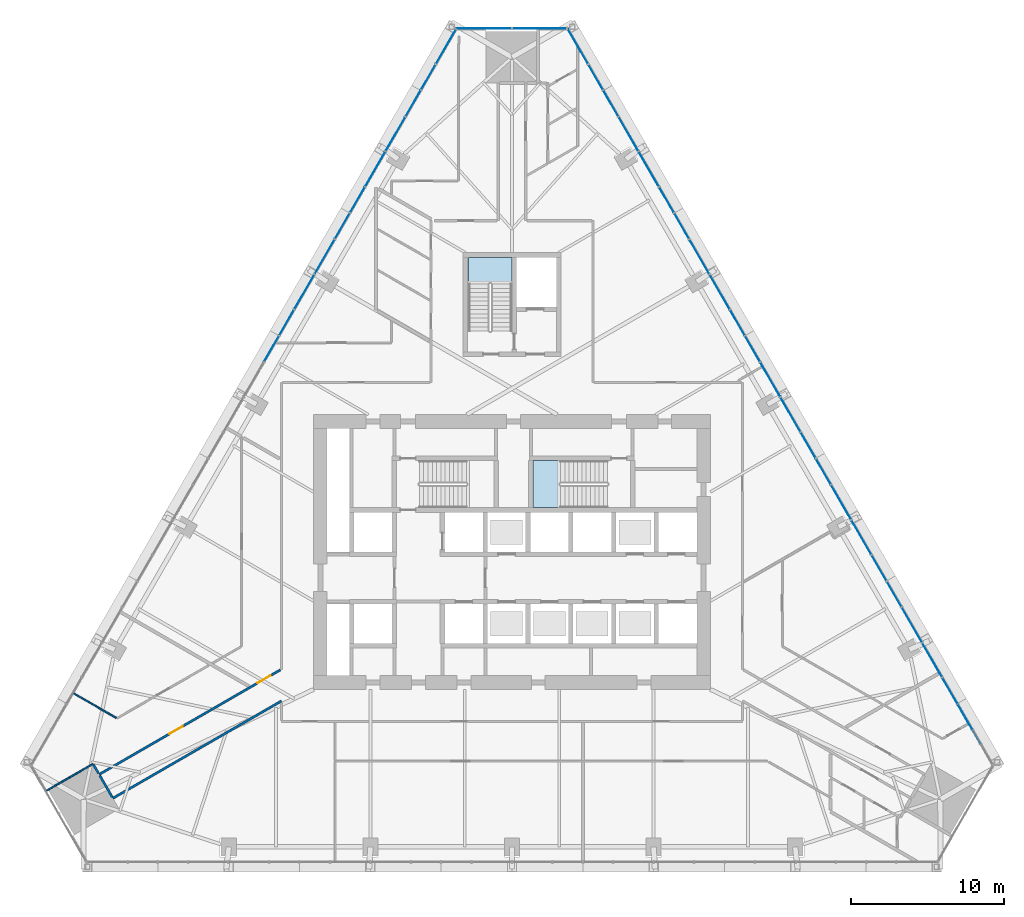
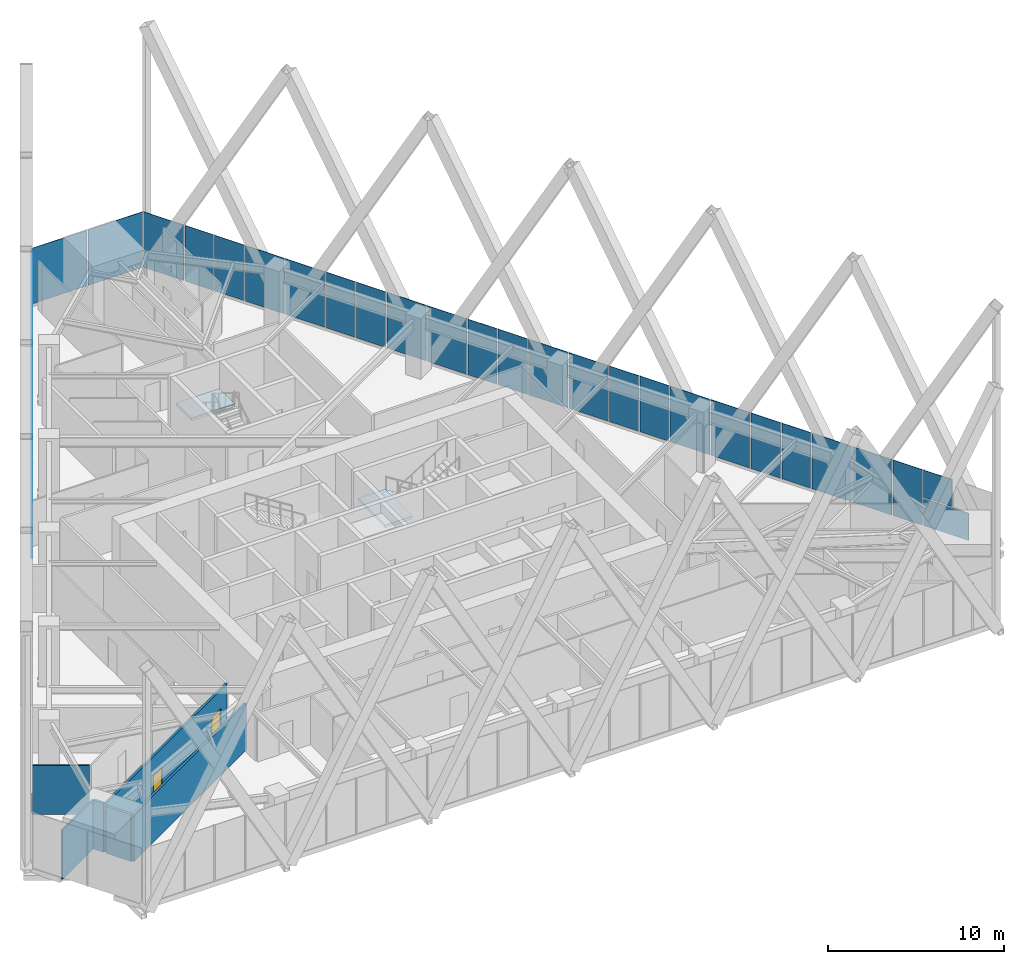
# One storey, part 12 of 19: 37 plates, 6 walls, 2 doors, 2 slabs, 2 openings, 5 elements without a shape of their own.
"""IFC4 building model written with IfcOpenShell, lengths in metres."""

from ifc_helpers import new_model, si_unit, direction, frame, frame_2d, origin, place, context, subcontext, project, spatial, polyline, rectangle, outline, extrude, material, layer, layer_set, type_object, element, fill, aggregate, save


model = new_model("IFC4")

# Units and contexts
model_context = context("Model", 3, precision=1e-05, world=origin(), true_north=direction((0.0, 1.0)))
body_context = subcontext(model_context, "Body", "Model", "MODEL_VIEW")
ifc_project = project(units=[si_unit("LENGTHUNIT", "METRE"), si_unit("AREAUNIT", "SQUARE_METRE"), si_unit("VOLUMEUNIT", "CUBIC_METRE"), si_unit("PLANEANGLEUNIT", "RADIAN"), si_unit("MASSUNIT", "GRAM", prefix="KILO")], contexts=[model_context])

# Site, building, storey
site_placement = place(None, origin())
site = spatial("IfcSite", under=ifc_project, at=site_placement, CompositionType="ELEMENT")
building_placement = place(site_placement, origin())
building = spatial("IfcBuilding", under=site, at=building_placement, Name="Firuza Gate Tower and Library", CompositionType="ELEMENT")
storey_placement = place(building_placement, frame((0.0, 0.0, 124.0)))
storey = spatial("IfcBuildingStorey", under=building, at=storey_placement, Name="L28", CompositionType="ELEMENT", Elevation=124.0)

# Curtain wall, plates
ifc_material_1 = material(Name="Aluminium 6063-T6", Category="aluminium")
ifc_layer_1 = layer(ifc_material_1, 0.14990234375)
ifc_layer_set_1 = layer_set([ifc_layer_1], Name="Corner curtain wall, chamfers")
curtain_wall_type_1 = type_object("IfcCurtainWallType", Name="Corner curtain wall, chamfers", PredefinedType="NOTDEFINED", material=ifc_layer_set_1)
placement_1 = place(storey_placement, origin())
curtain_wall_1 = element("IfcCurtainWall", 1, at=placement_1, inside=storey, type_object=curtain_wall_type_1, Name="CW4 L28 N corner", PredefinedType="NOTDEFINED")
ifc_material_2 = material(Name="Fritted glass", Category="glass")
ifc_layer_2 = layer(ifc_material_2, 0.030029296875)
ifc_layer_set_2 = layer_set([ifc_layer_2], Name="Fritted glass unit, corners")
plate_type_1 = type_object("IfcPlateType", Name="Fritted glass unit, corners", PredefinedType="CURTAIN_PANEL", material=ifc_layer_set_2)
plate_1_placement = place(storey_placement, frame((78.603271484375, 109.28857421875, 0.14990234375), z_axis=(0.0, 1.0, 0.0), x_axis=(-1.0, 0.0, 0.0)))
plate_1 = element("IfcPlate", 2, at=plate_1_placement, type_object=plate_type_1, Name="Glass unit", PredefinedType="CURTAIN_PANEL", context=body_context, shape_type="SweptSolid", body=[
    extrude(outline(polyline([(0.0, 0.0), (3.563232421875, 0.0), (3.563232421875, 3.85009765625), (0.0, 3.85009765625), (0.0, 0.0)])), origin(), (0.0, 0.0, -1.0), 0.030029296875),
])
plate_2_placement = place(storey_placement, frame((74.9599609375, 109.28857421875, 0.14990234375), z_axis=(0.0, 1.0, 0.0), x_axis=(-1.0, 0.0, 0.0)))
plate_2 = element("IfcPlate", 3, at=plate_2_placement, type_object=plate_type_1, Name="Glass unit", PredefinedType="CURTAIN_PANEL", context=body_context, shape_type="SweptSolid", body=[
    extrude(outline(polyline([(0.0, 0.0), (3.563232421875, 0.0), (3.563232421875, 3.85009765625), (0.0, 3.85009765625), (0.0, 0.0)])), origin(), (0.0, 0.0, -1.0), 0.030029296875),
])
aggregate(curtain_wall_1, [plate_1, plate_2])

ifc_material_3 = material(Name="Aluminium 6063-T6", Category="aluminium")
ifc_layer_3 = layer(ifc_material_3, 0.14990234375)
ifc_layer_set_3 = layer_set([ifc_layer_3], Name="Unitised curtain wall, offices")
curtain_wall_type_2 = type_object("IfcCurtainWallType", Name="Unitised curtain wall, offices", PredefinedType="NOTDEFINED", material=ifc_layer_set_3)
curtain_wall_2 = element("IfcCurtainWall", 4, at=placement_1, inside=storey, type_object=curtain_wall_type_2, Name="CW1 L28 E face", PredefinedType="NOTDEFINED")
ifc_material_4 = material(Name="Fritted glass", Category="glass")
ifc_layer_4 = layer(ifc_material_4, 0.030029296875)
ifc_layer_set_4 = layer_set([ifc_layer_4], Name="Fritted glass unit, offices")
plate_type_2 = type_object("IfcPlateType", Name="Fritted glass unit, offices", PredefinedType="CURTAIN_PANEL", material=ifc_layer_set_4)
plate_3_placement = place(storey_placement, frame((105.69091796875, 62.455810546875, 0.14990234375), z_axis=(0.86602583418, 0.499999254532, 0.0), x_axis=(-0.499999254532, 0.86602583418, 0.0)))
plate_3 = element("IfcPlate", 5, at=plate_3_placement, type_object=plate_type_2, Name="Glass unit", PredefinedType="CURTAIN_PANEL", context=body_context, shape_type="SweptSolid", body=[
    extrude(outline(polyline([(0.0, 0.0), (2.9521528389734186, 0.0), (2.9521528389734186, 1.885009765625), (0.0, 1.885009765625), (0.0, 0.0)])), origin(), (0.0, 0.0, -1.0), 0.030029296875),
])
plate_4_placement = place(storey_placement, frame((105.148681640625, 63.39501953125, 2.114990234375), z_axis=(0.866022320763, 0.500005339912, 0.0), x_axis=(-0.500005339912, 0.866022320763, 0.0)))
plate_4 = element("IfcPlate", 6, at=plate_4_placement, type_object=plate_type_2, Name="Glass unit", PredefinedType="CURTAIN_PANEL", context=body_context, shape_type="SweptSolid", body=[
    extrude(outline(polyline([(0.0, 0.0), (1.867655835013997, 0.0), (1.867655835013997, 1.8850097656250004), (0.0, 1.8850097656250004), (0.0, 0.0)])), origin(), (0.0, 0.0, -1.0), 0.030029296875),
])
plate_5_placement = place(storey_placement, frame((104.1748046875, 65.081787109375, 0.14990234375), z_axis=(0.866011626733, 0.500023861795, 0.0), x_axis=(-0.500023861795, 0.866011626733, 0.0)))
plate_5 = element("IfcPlate", 7, at=plate_5_placement, type_object=plate_type_2, Name="Glass unit", PredefinedType="CURTAIN_PANEL", context=body_context, shape_type="SweptSolid", body=[
    extrude(outline(polyline([(0.0, 0.0), (1.9398488297013792, 0.0), (1.9398488297013792, 3.85009765625), (0.0, 3.85009765625), (0.0, 0.0)])), origin(), (0.0, 0.0, -1.0), 0.030029296875),
])
plate_6_placement = place(storey_placement, frame((100.512451171875, 71.425048828125, 0.14990234375), z_axis=(0.865991160884, 0.500059305753, 0.0), x_axis=(-0.500059305753, 0.865991160884, 0.0)))
plate_6 = element("IfcPlate", 8, at=plate_6_placement, type_object=plate_type_2, Name="Glass unit", PredefinedType="CURTAIN_PANEL", context=body_context, shape_type="SweptSolid", body=[
    extrude(outline(polyline([(0.0, 0.0), (1.882100979917419, 0.0), (1.882100979917419, 3.85009765625), (0.0, 3.85009765625), (0.0, 0.0)])), origin(), (0.0, 0.0, -1.0), 0.030029296875),
])
plate_7_placement = place(storey_placement, frame((99.531494140625, 73.124267578125, 0.14990234375), z_axis=(0.866042003473, 0.499971247393, 0.0), x_axis=(-0.499971247393, 0.866042003473, 0.0)))
plate_7 = element("IfcPlate", 9, at=plate_7_placement, type_object=plate_type_2, Name="Glass unit", PredefinedType="CURTAIN_PANEL", context=body_context, shape_type="SweptSolid", body=[
    extrude(outline(polyline([(0.0, 0.0), (1.9254036895005338, 0.0), (1.9254036895005338, 3.850097656250001), (0.0, 3.850097656250001), (0.0, 0.0)])), origin(), (0.0, 0.0, -1.0), 0.030029296875),
])
plate_8_placement = place(storey_placement, frame((95.876220703125, 79.455078125, 0.14990234375), z_axis=(0.866048401274, 0.499960165064, 0.0), x_axis=(-0.499960165064, 0.866048401274, 0.0)))
plate_8 = element("IfcPlate", 10, at=plate_8_placement, type_object=plate_type_2, Name="Glass unit", PredefinedType="CURTAIN_PANEL", context=body_context, shape_type="SweptSolid", body=[
    extrude(outline(polyline([(0.0, 0.0), (1.8966354797069733, 0.0), (1.8966354797069733, 3.850097656250001), (0.0, 3.850097656250001), (0.0, 0.0)])), origin(), (0.0, 0.0, -1.0), 0.030029296875),
])
plate_9_placement = place(storey_placement, frame((94.887939453125, 81.166748046875, 0.14990234375), z_axis=(0.866072836187, 0.499917835669, 0.0), x_axis=(-0.499917835669, 0.866072836187, 0.0)))
plate_9 = element("IfcPlate", 11, at=plate_9_placement, type_object=plate_type_2, Name="Glass unit", PredefinedType="CURTAIN_PANEL", context=body_context, shape_type="SweptSolid", body=[
    extrude(outline(polyline([(0.0, 0.0), (1.9109585565138352, 0.0), (1.9109585565138352, 3.85009765625), (0.0, 3.85009765625), (0.0, 0.0)])), origin(), (0.0, 0.0, -1.0), 0.030029296875),
])
plate_10_placement = place(storey_placement, frame((91.240234375, 87.4853515625, 0.14990234375), z_axis=(0.865985575001, 0.500068979132, 0.0), x_axis=(-0.500068979132, 0.865985575001, 0.0)))
plate_10 = element("IfcPlate", 12, at=plate_10_placement, type_object=plate_type_2, Name="Glass unit", PredefinedType="CURTAIN_PANEL", context=body_context, shape_type="SweptSolid", body=[
    extrude(outline(polyline([(0.0, 0.0), (1.9108691923046113, 0.0), (1.9108691923046113, 3.85009765625), (0.0, 3.85009765625), (0.0, 0.0)])), origin(), (0.0, 0.0, -1.0), 0.030029296875),
])
plate_11_placement = place(storey_placement, frame((90.24462890625, 89.20947265625, 0.14990234375), z_axis=(0.866016220268, 0.500015905979, 0.0), x_axis=(-0.500015905979, 0.866016220268, 0.0)))
plate_11 = element("IfcPlate", 13, at=plate_11_placement, type_object=plate_type_2, Name="Glass unit", PredefinedType="CURTAIN_PANEL", context=body_context, shape_type="SweptSolid", body=[
    extrude(outline(polyline([(0.0, 0.0), (1.8964240460371324, 0.0), (1.8964240460371324, 3.85009765625), (0.0, 3.85009765625), (0.0, 0.0)])), origin(), (0.0, 0.0, -1.0), 0.030029296875),
])
plate_12_placement = place(storey_placement, frame((86.60400390625, 95.515380859375, 0.14990234375), z_axis=(0.86601030197, 0.500026156197, 0.0), x_axis=(-0.500026156197, 0.86601030197, 0.0)))
plate_12 = element("IfcPlate", 14, at=plate_12_placement, type_object=plate_type_2, Name="Glass unit", PredefinedType="CURTAIN_PANEL", context=body_context, shape_type="SweptSolid", body=[
    extrude(outline(polyline([(0.0, 0.0), (1.9251922573341291, 0.0), (1.9251922573341291, 3.85009765625), (0.0, 3.85009765625), (0.0, 0.0)])), origin(), (0.0, 0.0, -1.0), 0.030029296875),
])
plate_13_placement = place(storey_placement, frame((85.601318359375, 97.251953125, 0.14990234375), z_axis=(0.866047332643, 0.499962016178, 0.0), x_axis=(-0.499962016178, 0.866047332643, 0.0)))
plate_13 = element("IfcPlate", 15, at=plate_13_placement, type_object=plate_type_2, Name="Glass unit", PredefinedType="CURTAIN_PANEL", context=body_context, shape_type="SweptSolid", body=[
    extrude(outline(polyline([(0.0, 0.0), (1.8819789070017592, 0.0), (1.8819789070017592, 3.85009765625), (0.0, 3.85009765625), (0.0, 0.0)])), origin(), (0.0, 0.0, -1.0), 0.030029296875),
])
plate_14_placement = place(storey_placement, frame((81.9677734375, 103.54541015625, 0.14990234375), z_axis=(0.866034661658, 0.49998396455, 0.0), x_axis=(-0.49998396455, 0.866034661658, 0.0)))
plate_14 = element("IfcPlate", 16, at=plate_14_placement, type_object=plate_type_2, Name="Glass unit", PredefinedType="CURTAIN_PANEL", context=body_context, shape_type="SweptSolid", body=[
    extrude(outline(polyline([(0.0, 0.0), (1.9395153270016499, 0.0), (1.9395153270016499, 3.85009765625), (0.0, 3.85009765625), (0.0, 0.0)])), origin(), (0.0, 0.0, -1.0), 0.030029296875),
])
plate_15_placement = place(storey_placement, frame((80.9580078125, 105.29443359375, 0.14990234375), z_axis=(0.866022320763, 0.500005339912, 0.0), x_axis=(-0.500005339912, 0.866022320763, 0.0)))
plate_15 = element("IfcPlate", 17, at=plate_15_placement, type_object=plate_type_2, Name="Glass unit", PredefinedType="CURTAIN_PANEL", context=body_context, shape_type="SweptSolid", body=[
    extrude(outline(polyline([(0.0, 0.0), (1.8676558350139967, 0.0), (1.8676558350139967, 3.85009765625), (0.0, 3.85009765625), (0.0, 0.0)])), origin(), (0.0, 0.0, -1.0), 0.030029296875),
])

curtain_wall_3 = element("IfcCurtainWall", 18, at=placement_1, inside=storey, type_object=curtain_wall_type_2, Name="CW1 L28 W face", PredefinedType="NOTDEFINED")
plate_16_placement = place(storey_placement, frame((69.975830078125, 106.911865234375, 0.14990234375), z_axis=(-0.866022320763, 0.500005339912, 0.0), x_axis=(-0.500005339912, -0.866022320763, 0.0)))
plate_16 = element("IfcPlate", 19, at=plate_16_placement, type_object=plate_type_2, Name="Glass unit", PredefinedType="CURTAIN_PANEL", context=body_context, shape_type="SweptSolid", body=[
    extrude(outline(polyline([(0.0, 0.0), (1.8676558350139967, 0.0), (1.8676558350139967, 3.85009765625), (0.0, 3.85009765625), (0.0, 0.0)])), origin(), (0.0, 0.0, -1.0), 0.030029296875),
])
plate_17_placement = place(storey_placement, frame((69.001953125, 105.22509765625, 0.14990234375), z_axis=(-0.866034661658, 0.49998396455, 0.0), x_axis=(-0.49998396455, -0.866034661658, 0.0)))
plate_17 = element("IfcPlate", 20, at=plate_17_placement, type_object=plate_type_2, Name="Glass unit", PredefinedType="CURTAIN_PANEL", context=body_context, shape_type="SweptSolid", body=[
    extrude(outline(polyline([(0.0, 0.0), (1.9395153270016499, 0.0), (1.9395153270016499, 3.85009765625), (0.0, 3.85009765625), (0.0, 0.0)])), origin(), (0.0, 0.0, -1.0), 0.030029296875),
])
plate_18_placement = place(storey_placement, frame((65.339599609375, 98.8818359375, 0.14990234375), z_axis=(-0.866047332643, 0.499962016178, 0.0), x_axis=(-0.499962016178, -0.866047332643, 0.0)))
plate_18 = element("IfcPlate", 21, at=plate_18_placement, type_object=plate_type_2, Name="Glass unit", PredefinedType="CURTAIN_PANEL", context=body_context, shape_type="SweptSolid", body=[
    extrude(outline(polyline([(0.0, 0.0), (1.8819789070017592, 0.0), (1.8819789070017592, 3.85009765625), (0.0, 3.85009765625), (0.0, 0.0)])), origin(), (0.0, 0.0, -1.0), 0.030029296875),
])
plate_19_placement = place(storey_placement, frame((64.358642578125, 97.1826171875, 0.14990234375), z_axis=(-0.86601030197, 0.500026156197, 0.0), x_axis=(-0.500026156197, -0.86601030197, 0.0)))
plate_19 = element("IfcPlate", 22, at=plate_19_placement, type_object=plate_type_2, Name="Glass unit", PredefinedType="CURTAIN_PANEL", context=body_context, shape_type="SweptSolid", body=[
    extrude(outline(polyline([(0.0, 0.0), (1.9251922573341291, 0.0), (1.9251922573341291, 3.85009765625), (0.0, 3.85009765625), (0.0, 0.0)])), origin(), (0.0, 0.0, -1.0), 0.030029296875),
])
plate_20_placement = place(storey_placement, frame((60.70361328125, 90.851806640625, 0.14990234375), z_axis=(-0.866016220268, 0.500015905979, 0.0), x_axis=(-0.500015905979, -0.866016220268, 0.0)))
plate_20 = element("IfcPlate", 23, at=plate_20_placement, type_object=plate_type_2, Name="Glass unit", PredefinedType="CURTAIN_PANEL", context=body_context, shape_type="SweptSolid", body=[
    extrude(outline(polyline([(0.0, 0.0), (1.8964240460371324, 0.0), (1.8964240460371324, 3.85009765625), (0.0, 3.85009765625), (0.0, 0.0)])), origin(), (0.0, 0.0, -1.0), 0.030029296875),
])
plate_21_placement = place(storey_placement, frame((59.71533203125, 89.14013671875, 0.14990234375), z_axis=(-0.865985575001, 0.500068979132, 0.0), x_axis=(-0.500068979132, -0.865985575001, 0.0)))
plate_21 = element("IfcPlate", 24, at=plate_21_placement, type_object=plate_type_2, Name="Glass unit", PredefinedType="CURTAIN_PANEL", context=body_context, shape_type="SweptSolid", body=[
    extrude(outline(polyline([(0.0, 0.0), (1.9108691923046113, 0.0), (1.9108691923046113, 3.85009765625), (0.0, 3.85009765625), (0.0, 0.0)])), origin(), (0.0, 0.0, -1.0), 0.030029296875),
])

# Plate
ifc_material_5 = material(Name="Glazed ceramic tile")
ifc_layer_5 = layer(ifc_material_5, 0.030029296875)
ifc_layer_set_5 = layer_set([ifc_layer_5], Name="Opaque ceramic panel, offices")
plate_type_3 = type_object("IfcPlateType", Name="Opaque ceramic panel, offices", PredefinedType="CURTAIN_PANEL", material=ifc_layer_set_5)
plate_22_placement = place(storey_placement, frame((103.164794921875, 66.8310546875, 0.14990234375), z_axis=(0.86601934061, 0.500010501578, 0.0), x_axis=(-0.500010501578, 0.86601934061, 0.0)))
plate_22 = element("IfcPlate", 25, at=plate_22_placement, type_object=plate_type_3, Name="Opaque ceramic panel", PredefinedType="CURTAIN_PANEL", context=body_context, shape_type="SweptSolid", body=[
    extrude(outline(polyline([(0.0, 0.0), (2.5434036117453975, 0.0), (2.5434036117453975, 3.85009765625), (0.0, 3.85009765625), (0.0, 0.0)])), origin(), (0.0, 0.0, -1.0), 0.030029296875),
])

plate_23_placement = place(storey_placement, frame((101.85302734375, 69.10302734375, 0.14990234375), z_axis=(0.866057436843, 0.499944513011, 0.0), x_axis=(-0.499944513011, 0.866057436843, 0.0)))
plate_23 = element("IfcPlate", 26, at=plate_23_placement, type_object=plate_type_3, Name="Opaque ceramic panel", PredefinedType="CURTAIN_PANEL", context=body_context, shape_type="SweptSolid", body=[
    extrude(outline(polyline([(0.0, 0.0), (2.6013629023418336, 0.0), (2.6013629023418336, 3.85009765625), (0.0, 3.85009765625), (0.0, 0.0)])), origin(), (0.0, 0.0, -1.0), 0.030029296875),
])

plate_24_placement = place(storey_placement, frame((98.52880859375, 74.861083984375, 0.14990234375), z_axis=(0.866020293397, 0.500008851346, 0.0), x_axis=(-0.500008851346, 0.866020293397, 0.0)))
plate_24 = element("IfcPlate", 27, at=plate_24_placement, type_object=plate_type_3, Name="Opaque ceramic panel", PredefinedType="CURTAIN_PANEL", context=body_context, shape_type="SweptSolid", body=[
    extrude(outline(polyline([(0.0, 0.0), (2.5580601842009925, 0.0), (2.5580601842009925, 3.85009765625), (0.0, 3.85009765625), (0.0, 0.0)])), origin(), (0.0, 0.0, -1.0), 0.030029296875),
])

plate_25_placement = place(storey_placement, frame((97.209716796875, 77.1455078125, 0.14990234375), z_axis=(0.866039436866, 0.499975693202, 0.0), x_axis=(-0.499975693202, 0.866039436866, 0.0)))
plate_25 = element("IfcPlate", 28, at=plate_25_placement, type_object=plate_type_3, Name="Opaque ceramic panel", PredefinedType="CURTAIN_PANEL", context=body_context, shape_type="SweptSolid", body=[
    extrude(outline(polyline([(0.0, 0.0), (2.587039827808468, 0.0), (2.587039827808468, 3.85009765625), (0.0, 3.85009765625), (0.0, 0.0)])), origin(), (0.0, 0.0, -1.0), 0.030029296875),
])

plate_26_placement = place(storey_placement, frame((93.892578125, 82.89111328125, 0.14990234375), z_axis=(0.866038603945, 0.499977135954, 0.0), x_axis=(-0.499977135954, 0.866038603945, 0.0)))
plate_26 = element("IfcPlate", 29, at=plate_26_placement, type_object=plate_type_3, Name="Opaque ceramic panel", PredefinedType="CURTAIN_PANEL", context=body_context, shape_type="SweptSolid", body=[
    extrude(outline(polyline([(0.0, 0.0), (2.572383255177005, 0.0), (2.572383255177005, 3.850097656250001), (0.0, 3.850097656250001), (0.0, 0.0)])), origin(), (0.0, 0.0, -1.0), 0.030029296875),
])

plate_27_placement = place(storey_placement, frame((92.56640625, 85.188232421875, 0.14990234375), z_axis=(0.865997507706, 0.500048314313, 0.0), x_axis=(-0.500048314313, 0.865997507706, 0.0)))
plate_27 = element("IfcPlate", 30, at=plate_27_placement, type_object=plate_type_3, Name="Opaque ceramic panel", PredefinedType="CURTAIN_PANEL", context=body_context, shape_type="SweptSolid", body=[
    extrude(outline(polyline([(0.0, 0.0), (2.572505328596433, 0.0), (2.572505328596433, 3.85009765625), (0.0, 3.85009765625), (0.0, 0.0)])), origin(), (0.0, 0.0, -1.0), 0.030029296875),
])

plate_28_placement = place(storey_placement, frame((89.25634765625, 90.921142578125, 0.14990234375), z_axis=(0.866015843605, 0.50001655835, 0.0), x_axis=(-0.50001655835, 0.866015843605, 0.0)))
plate_28 = element("IfcPlate", 31, at=plate_28_placement, type_object=plate_type_3, Name="Opaque ceramic panel", PredefinedType="CURTAIN_PANEL", context=body_context, shape_type="SweptSolid", body=[
    extrude(outline(polyline([(0.0, 0.0), (2.586828395278996, 0.0), (2.586828395278996, 3.85009765625), (0.0, 3.85009765625), (0.0, 0.0)])), origin(), (0.0, 0.0, -1.0), 0.030029296875),
])

plate_29_placement = place(storey_placement, frame((87.923095703125, 93.230712890625, 0.14990234375), z_axis=(0.866020293397, 0.500008851346, 0.0), x_axis=(-0.500008851346, 0.866020293397, 0.0)))
plate_29 = element("IfcPlate", 32, at=plate_29_placement, type_object=plate_type_3, Name="Opaque ceramic panel", PredefinedType="CURTAIN_PANEL", context=body_context, shape_type="SweptSolid", body=[
    extrude(outline(polyline([(0.0, 0.0), (2.5580601842009925, 0.0), (2.5580601842009925, 3.85009765625), (0.0, 3.85009765625), (0.0, 0.0)])), origin(), (0.0, 0.0, -1.0), 0.030029296875),
])

plate_30_placement = place(storey_placement, frame((84.620361328125, 98.951171875, 0.14990234375), z_axis=(0.865993334282, 0.500055541894, 0.0), x_axis=(-0.500055541894, 0.865993334282, 0.0)))
plate_30 = element("IfcPlate", 33, at=plate_30_placement, type_object=plate_type_3, Name="Opaque ceramic panel", PredefinedType="CURTAIN_PANEL", context=body_context, shape_type="SweptSolid", body=[
    extrude(outline(polyline([(0.0, 0.0), (2.6012735406817717, 0.0), (2.6012735406817717, 3.85009765625), (0.0, 3.85009765625), (0.0, 0.0)])), origin(), (0.0, 0.0, -1.0), 0.030029296875),
])

plate_31_placement = place(storey_placement, frame((83.279541015625, 101.273193359375, 0.14990234375), z_axis=(0.866043336059, 0.499968939103, 0.0), x_axis=(-0.499968939103, 0.866043336059, 0.0)))
plate_31 = element("IfcPlate", 34, at=plate_31_placement, type_object=plate_type_3, Name="Opaque ceramic panel", PredefinedType="CURTAIN_PANEL", context=body_context, shape_type="SweptSolid", body=[
    extrude(outline(polyline([(0.0, 0.0), (2.54361504517773, 0.0), (2.54361504517773, 3.85009765625), (0.0, 3.85009765625), (0.0, 0.0)])), origin(), (0.0, 0.0, -1.0), 0.030029296875),
])

plate_32_placement = place(storey_placement, frame((79.984130859375, 106.981201171875, 0.14990234375), z_axis=(0.866011491631, 0.500024095782, 0.0), x_axis=(-0.500024095782, 0.866011491631, 0.0)))
plate_32 = element("IfcPlate", 35, at=plate_32_placement, type_object=plate_type_3, Name="Opaque ceramic panel", PredefinedType="CURTAIN_PANEL", context=body_context, shape_type="SweptSolid", body=[
    extrude(outline(polyline([(0.0, 0.0), (2.6155966065573657, 0.0), (2.6155966065573657, 3.85009765625), (0.0, 3.85009765625), (0.0, 0.0)])), origin(), (0.0, 0.0, -1.0), 0.030029296875),
])

aggregate(curtain_wall_2, [plate_3, plate_4, plate_5, plate_22, plate_23, plate_6, plate_7, plate_24, plate_25, plate_8, plate_9, plate_26, plate_27, plate_10, plate_11, plate_28, plate_29, plate_12, plate_13, plate_30, plate_31, plate_14, plate_15, plate_32])

plate_33_placement = place(storey_placement, frame((71.32373046875, 109.246337890625, 0.14990234375), z_axis=(-0.866011491631, 0.500024095782, 0.0), x_axis=(-0.500024095782, -0.866011491631, 0.0)))
plate_33 = element("IfcPlate", 36, at=plate_33_placement, type_object=plate_type_3, Name="Opaque ceramic panel", PredefinedType="CURTAIN_PANEL", context=body_context, shape_type="SweptSolid", body=[
    extrude(outline(polyline([(0.0, 0.0), (2.6155966065573657, 0.0), (2.6155966065573657, 3.85009765625), (0.0, 3.85009765625), (0.0, 0.0)])), origin(), (0.0, 0.0, -1.0), 0.030029296875),
])

plate_34_placement = place(storey_placement, frame((67.9921875, 103.47607421875, 0.14990234375), z_axis=(-0.866043336059, 0.499968939103, 0.0), x_axis=(-0.499968939103, -0.866043336059, 0.0)))
plate_34 = element("IfcPlate", 37, at=plate_34_placement, type_object=plate_type_3, Name="Opaque ceramic panel", PredefinedType="CURTAIN_PANEL", context=body_context, shape_type="SweptSolid", body=[
    extrude(outline(polyline([(0.0, 0.0), (2.54361504517773, 0.0), (2.54361504517773, 3.85009765625), (0.0, 3.85009765625), (0.0, 0.0)])), origin(), (0.0, 0.0, -1.0), 0.030029296875),
])

plate_35_placement = place(storey_placement, frame((66.680419921875, 101.203857421875, 0.14990234375), z_axis=(-0.865993334282, 0.500055541894, 0.0), x_axis=(-0.500055541894, -0.865993334282, 0.0)))
plate_35 = element("IfcPlate", 38, at=plate_35_placement, type_object=plate_type_3, Name="Opaque ceramic panel", PredefinedType="CURTAIN_PANEL", context=body_context, shape_type="SweptSolid", body=[
    extrude(outline(polyline([(0.0, 0.0), (2.6012735406817717, 0.0), (2.6012735406817717, 3.85009765625), (0.0, 3.85009765625), (0.0, 0.0)])), origin(), (0.0, 0.0, -1.0), 0.030029296875),
])

plate_36_placement = place(storey_placement, frame((63.35595703125, 95.446044921875, 0.14990234375), z_axis=(-0.866020293397, 0.500008851346, 0.0), x_axis=(-0.500008851346, -0.866020293397, 0.0)))
plate_36 = element("IfcPlate", 39, at=plate_36_placement, type_object=plate_type_3, Name="Opaque ceramic panel", PredefinedType="CURTAIN_PANEL", context=body_context, shape_type="SweptSolid", body=[
    extrude(outline(polyline([(0.0, 0.0), (2.5580601842009925, 0.0), (2.5580601842009925, 3.85009765625), (0.0, 3.85009765625), (0.0, 0.0)])), origin(), (0.0, 0.0, -1.0), 0.030029296875),
])

plate_37_placement = place(storey_placement, frame((62.037109375, 93.161376953125, 0.14990234375), z_axis=(-0.866015843605, 0.50001655835, 0.0), x_axis=(-0.50001655835, -0.866015843605, 0.0)))
plate_37 = element("IfcPlate", 40, at=plate_37_placement, type_object=plate_type_3, Name="Opaque ceramic panel", PredefinedType="CURTAIN_PANEL", context=body_context, shape_type="SweptSolid", body=[
    extrude(outline(polyline([(0.0, 0.0), (2.586828395278996, 0.0), (2.586828395278996, 3.85009765625), (0.0, 3.85009765625), (0.0, 0.0)])), origin(), (0.0, 0.0, -1.0), 0.030029296875),
])

aggregate(curtain_wall_3, [plate_33, plate_16, plate_17, plate_34, plate_35, plate_18, plate_19, plate_36, plate_37, plate_20, plate_21])

# Stair, slab
ifc_material_6 = material(Name="Concrete C35/45", Category="concrete")
stair_type_1 = type_object("IfcStairType", Name="Exit stair ST5", PredefinedType="HALF_TURN_STAIR", material=ifc_material_6)
stair_1 = element("IfcStair", 41, at=placement_1, inside=storey, type_object=stair_type_1, Name="L28 Stair ST2", PredefinedType="HALF_TURN_STAIR")
ifc_material_7 = material(Name="Concrete C35/45", Category="concrete")
ifc_layer_6 = layer(ifc_material_7, 0.199951171875)
ifc_layer_set_6 = layer_set([ifc_layer_6], Name="Stair landing 200")
slab_type = type_object("IfcSlabType", Name="Stair landing 200", PredefinedType="LANDING", material=ifc_layer_set_6)
placement_2 = place(storey_placement, frame((0.0, 0.0, 1.89990234375)))
slab_1 = element("IfcSlab", 42, at=placement_2, type_object=slab_type, Name="ST2 landing 1", PredefinedType="LANDING", context=body_context, shape_type="SweptSolid", body=[
    extrude(outline(polyline([(78.179931640625, 80.97998046875), (76.389892578125, 80.97998046875), (76.389892578125, 77.89990234375), (78.179931640625, 77.89990234375), (78.179931640625, 80.97998046875)])), origin(), (0.0, 0.0, 1.0), 0.2001953125),
])
aggregate(stair_1, [slab_1])

ifc_material_8 = material(Name="Concrete C35/45", Category="concrete")
stair_type_2 = type_object("IfcStairType", Name="Exit stair ST14", PredefinedType="HALF_TURN_STAIR", material=ifc_material_8)
stair_2 = element("IfcStair", 43, at=placement_1, inside=storey, type_object=stair_type_2, Name="L28 Stair ST3", PredefinedType="HALF_TURN_STAIR")
slab_2 = element("IfcSlab", 44, at=placement_2, type_object=slab_type, Name="ST3 landing 1", PredefinedType="LANDING", context=body_context, shape_type="SweptSolid", body=[
    extrude(outline(polyline([(75.0, 92.550048828125), (75.0, 94.300048828125), (72.159912109375, 94.300048828125), (72.159912109375, 92.550048828125), (75.0, 92.550048828125)])), origin(), (0.0, 0.0, 1.0), 0.2001953125),
])
aggregate(stair_2, [slab_2])

# Wall
ifc_material_9 = material(Name="Gypsum board partition")
ifc_layer_7 = layer(ifc_material_9, 0.14990234375)
ifc_layer_set_7 = layer_set([ifc_layer_7], Name="Corridor wall 150 double board on steel studs")
wall_type_1 = type_object("IfcWallType", Name="Corridor wall 150 double board on steel studs", PredefinedType="PARTITIONING", material=ifc_layer_set_7)
wall_1_placement = place(storey_placement, frame((48.86474609375, 58.87158203125, 0.0), z_axis=(0.0, 0.0, 1.0), x_axis=(0.866019033468, 0.500011033549, 0.0)))
element("IfcWall", 45, at=wall_1_placement, inside=storey, type_object=wall_type_1, Name="f:L28:w014", PredefinedType="PARTITIONING", context=body_context, shape_type="SweptSolid", body=[
    extrude(rectangle(XDim=12.742431640625, YDim=0.14990234375, at=frame_2d((6.37109375, 0.0))), origin(), (0.0, 0.0, 1.0), 3.2470703125),
])

# Wall, openings, doors
wall_2_placement = place(storey_placement, frame((47.966796875, 60.431640625, 0.0), z_axis=(0.0, 0.0, 1.0), x_axis=(0.866021388453, 0.500006954693, 0.0)))
wall_2 = element("IfcWall", 46, at=wall_2_placement, inside=storey, type_object=wall_type_1, Name="f:L28:w015", PredefinedType="PARTITIONING", context=body_context, shape_type="SweptSolid", body=[
    extrude(rectangle(XDim=13.692626953125, YDim=0.14990234375, at=frame_2d((6.84619140625, 0.0))), origin(), (0.0, 0.0, 1.0), 3.39990234375),
])
opening_1_placement = place(wall_2_placement, frame((5.321044921875, 0.0, 0.0)))
opening_1 = element("IfcOpeningElement", 47, at=opening_1_placement, cuts=wall_2, Name="Opening L28-12", PredefinedType="OPENING", context=body_context, shape_type="SweptSolid", body=[
    extrude(rectangle(XDim=1.0, YDim=2.10009765625, at=frame_2d((0.5, 1.050048828125))), frame((0.0, 0.0849609375, 0.0), z_axis=(0.0, -1.0, 0.0), x_axis=(1.0, 0.0, 0.0)), (0.0, 0.0, 1.0), 0.169921875),
])
opening_2_placement = place(wall_2_placement, frame((11.964111328125, 0.0, 0.0)))
opening_2 = element("IfcOpeningElement", 48, at=opening_2_placement, cuts=wall_2, Name="Opening L28-13", PredefinedType="OPENING", context=body_context, shape_type="SweptSolid", body=[
    extrude(rectangle(XDim=1.0, YDim=2.10009765625, at=frame_2d((0.5, 1.050048828125))), frame((0.0, 0.0849609375, 0.0), z_axis=(0.0, -1.0, 0.0), x_axis=(1.0, 0.0, 0.0)), (0.0, 0.0, 1.0), 0.169921875),
])
ifc_material_10 = material(Name="Steel door and timber leaf", Category="steel")
door_type = type_object("IfcDoorType", Name="Fire door 1000 x 2100 steel frame, timber leaf", OperationType="NOTDEFINED", PredefinedType="DOOR", material=ifc_material_10)
door_1_placement = place(opening_1_placement, origin())
door_1 = element("IfcDoor", 49, at=door_1_placement, inside=storey, type_object=door_type, Name="f:L28:d012", OperationType="SINGLE_SWING_LEFT", OverallHeight=2.10009765625, OverallWidth=1.0, PredefinedType="DOOR", context=body_context, shape_type="SweptSolid", body=[
    extrude(rectangle(XDim=1.0, YDim=2.10009765625, at=frame_2d((0.5, 1.050048828125))), frame((0.0, 0.02490234375, 0.0), z_axis=(0.0, -1.0, 0.0), x_axis=(1.0, 0.0, 0.0)), (0.0, 0.0, 1.0), 0.050048828125),
])
fill(opening_1, door_1)
door_2_placement = place(opening_2_placement, origin())
door_2 = element("IfcDoor", 50, at=door_2_placement, inside=storey, type_object=door_type, Name="f:L28:d013", OperationType="SINGLE_SWING_RIGHT", OverallHeight=2.10009765625, OverallWidth=1.0, PredefinedType="DOOR", context=body_context, shape_type="SweptSolid", body=[
    extrude(rectangle(XDim=1.0, YDim=2.10009765625, at=frame_2d((0.5, 1.050048828125))), frame((0.0, 0.02490234375, 0.0), z_axis=(0.0, -1.0, 0.0), x_axis=(1.0, 0.0, 0.0)), (0.0, 0.0, 1.0), 0.050048828125),
])
fill(opening_2, door_2)

# Walls
wall_3_placement = place(storey_placement, frame((48.826171875, 58.9365234375, 0.0), z_axis=(0.0, 0.0, 1.0), x_axis=(-0.499991515992, 0.866030301974, 0.0)))
element("IfcWall", 51, at=wall_3_placement, inside=storey, type_object=wall_type_1, Name="f:L28:w049", PredefinedType="PARTITIONING", context=body_context, shape_type="SweptSolid", body=[
    extrude(rectangle(XDim=1.6494140625, YDim=0.14990234375, at=frame_2d((0.82470703125, 0.0))), origin(), (0.0, 0.0, 1.0), 3.2470703125),
])
wall_4_placement = place(storey_placement, frame((47.926513671875, 60.4951171875, 0.0), z_axis=(0.0, 0.0, 1.0), x_axis=(-0.5000475079, 0.865997973348, 0.0)))
element("IfcWall", 52, at=wall_4_placement, inside=storey, type_object=wall_type_1, Name="f:L28:w067", PredefinedType="PARTITIONING", context=body_context, shape_type="SweptSolid", body=[
    extrude(rectangle(XDim=0.671875, YDim=0.14990234375, at=frame_2d((0.3359375, 0.0))), origin(), (0.0, 0.0, 1.0), 3.39990234375),
])
ifc_material_11 = material(Name="Gypsum board partition")
ifc_layer_8 = layer(ifc_material_11, 0.10009765625)
ifc_layer_set_8 = layer_set([ifc_layer_8], Name="Partition 100 gypsum board on steel studs")
wall_type_2 = type_object("IfcWallType", Name="Partition 100 gypsum board on steel studs", PredefinedType="PARTITIONING", material=ifc_layer_set_8)
wall_5_placement = place(storey_placement, frame((44.481201171875, 59.343017578125, 0.0), z_axis=(0.0, 0.0, 1.0), x_axis=(0.866008413041, 0.500029427677, 0.0)))
element("IfcWall", 53, at=wall_5_placement, inside=storey, type_object=wall_type_2, Name="f:L28:w016", PredefinedType="PARTITIONING", context=body_context, shape_type="SweptSolid", body=[
    extrude(rectangle(XDim=3.556884765625, YDim=0.10009765625, at=frame_2d((1.7783203125, 0.0))), origin(), (0.0, 0.0, 1.0), 3.39990234375),
])
wall_6_placement = place(storey_placement, frame((49.083251953125, 64.135986328125, 0.0), z_axis=(0.0, 0.0, 1.0), x_axis=(-0.866048593798, 0.499959831567, 0.0)))
element("IfcWall", 54, at=wall_6_placement, inside=storey, type_object=wall_type_2, Name="f:L28:w063", PredefinedType="PARTITIONING", context=body_context, shape_type="SweptSolid", body=[
    extrude(rectangle(XDim=3.264404296875, YDim=0.10009765625, at=frame_2d((1.63232421875, 0.0))), origin(), (0.0, 0.0, 1.0), 3.39990234375),
])

save(model, "model.ifc")
